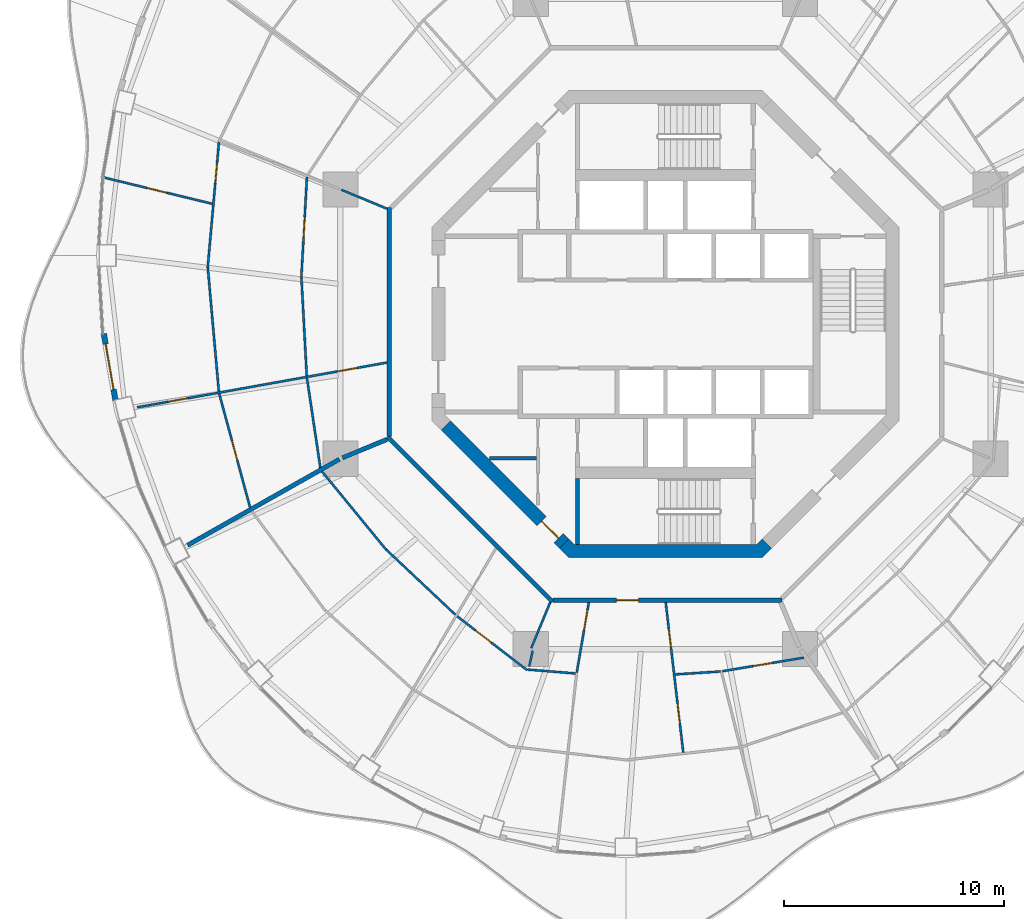
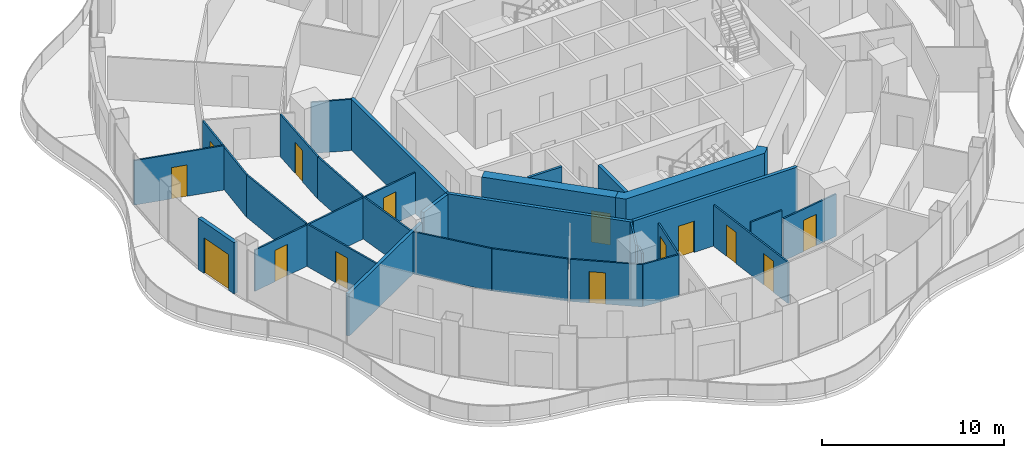
# One storey, part 10 of 18: 29 walls, 14 doors, 14 openings.
"""IFC4 building model written with IfcOpenShell, lengths in metres."""

from ifc_helpers import new_model, si_unit, direction, frame, frame_2d, origin, place, context, subcontext, project, spatial, polyline, rectangle, outline, extrude, material, layer, layer_set, type_object, element, fill, save


model = new_model("IFC4")

# Units and contexts
model_context = context("Model", 3, precision=1e-05, world=origin(), true_north=direction((0.0, 1.0)))
body_context = subcontext(model_context, "Body", "Model", "MODEL_VIEW")
ifc_project = project(units=[si_unit("LENGTHUNIT", "METRE"), si_unit("AREAUNIT", "SQUARE_METRE"), si_unit("VOLUMEUNIT", "CUBIC_METRE"), si_unit("PLANEANGLEUNIT", "RADIAN"), si_unit("MASSUNIT", "GRAM", prefix="KILO")], contexts=[model_context])

# Site, building, storey
site_placement = place(None, origin())
site = spatial("IfcSite", under=ifc_project, at=site_placement, CompositionType="ELEMENT")
building_placement = place(site_placement, origin())
building = spatial("IfcBuilding", under=site, at=building_placement, Name="Nagisa Residences", CompositionType="ELEMENT")
storey_placement = place(building_placement, frame((0.0, 0.0, 245.5)))
storey = spatial("IfcBuildingStorey", under=building, at=storey_placement, Name="L62", CompositionType="ELEMENT", Elevation=245.5)

# Walls
ifc_material_1 = material(Name="Gypsum board on steel studs", Category="steel")
ifc_layer_1 = layer(ifc_material_1, 0.199951171875)
ifc_layer_set_1 = layer_set([ifc_layer_1], Name="Apartment compartment wall EI60 200")
wall_type_1 = type_object("IfcWallType", Name="Apartment compartment wall EI60 200", PredefinedType="PARTITIONING", material=ifc_layer_set_1)
wall_1_placement = place(storey_placement, frame((-12.6572265625, -5.24267578125, 0.0), z_axis=(0.0, 0.0, 1.0), x_axis=(-0.923859888513, -0.38273085373, 0.0)))
element("IfcWall", 1, at=wall_1_placement, inside=storey, type_object=wall_type_1, Name="wall:L62:u02", PredefinedType="PARTITIONING", context=body_context, shape_type="SweptSolid", body=[
    extrude(rectangle(XDim=2.199462890625, YDim=0.199951171875, at=frame_2d((1.099609375, 0.0))), origin(), (0.0, 0.0, 1.0), 3.43994140625),
])
wall_2_placement = place(storey_placement, frame((-14.825439453125, -6.147705078125, 0.0), z_axis=(0.0, 0.0, 1.0), x_axis=(-0.870099576105, -0.492875975944, 0.0)))
element("IfcWall", 2, at=wall_2_placement, inside=storey, type_object=wall_type_1, Name="wall:L62:u03", PredefinedType="PARTITIONING", context=body_context, shape_type="SweptSolid", body=[
    extrude(rectangle(XDim=7.937255859375, YDim=0.199951171875, at=frame_2d((3.96875, 0.0))), origin(), (0.0, 0.0, 1.0), 2.8369140625),
])
ifc_material_2 = material(Name="Gypsum board on steel studs", Category="steel")
ifc_layer_2 = layer(ifc_material_2, 0.199951171875)
ifc_layer_set_2 = layer_set([ifc_layer_2], Name="Apartment entry wall EI60 200")
wall_type_2 = type_object("IfcWallType", Name="Apartment entry wall EI60 200", PredefinedType="PARTITIONING", material=ifc_layer_set_2)
wall_3_placement = place(storey_placement, frame((-12.564697265625, 5.304443359375, 0.0), z_axis=(0.0, 0.0, 1.0), x_axis=(0.0, -1.0, 0.0)))
element("IfcWall", 3, at=wall_3_placement, inside=storey, type_object=wall_type_2, Name="wall:L62:u10", PredefinedType="PARTITIONING", context=body_context, shape_type="SweptSolid", body=[
    extrude(rectangle(XDim=10.408935546875, YDim=0.199951171875, at=frame_2d((5.20458984375, 0.0))), origin(), (0.0, 0.0, 1.0), 3.43994140625),
])
wall_4_placement = place(storey_placement, frame((-12.635498046875, -5.1337890625, 0.0), z_axis=(0.0, 0.0, 1.0), x_axis=(0.707106781187, -0.707106781187, 0.0)))
element("IfcWall", 4, at=wall_4_placement, inside=storey, type_object=wall_type_2, Name="wall:L62:u11", PredefinedType="PARTITIONING", context=body_context, shape_type="SweptSolid", body=[
    extrude(rectangle(XDim=10.609130859375, YDim=0.199951171875, at=frame_2d((5.3046875, 0.0))), origin(), (0.0, 0.0, 1.0), 3.43994140625),
])

# Wall, opening, door
wall_5_placement = place(storey_placement, frame((-5.1044921875, -12.564697265625, 0.0), z_axis=(0.0, 0.0, 1.0), x_axis=(1.0, 0.0, 0.0)))
wall_5 = element("IfcWall", 5, at=wall_5_placement, inside=storey, type_object=wall_type_2, Name="wall:L62:u12", PredefinedType="PARTITIONING", context=body_context, shape_type="SweptSolid", body=[
    extrude(rectangle(XDim=10.408935546875, YDim=0.199951171875, at=frame_2d((5.20458984375, 0.0))), origin(), (0.0, 0.0, 1.0), 3.43994140625),
])
opening_1_placement = place(wall_5_placement, frame((2.86962890625, 0.0, 0.0)))
opening_1 = element("IfcOpeningElement", 6, at=opening_1_placement, cuts=wall_5, Name="Opening L62-U39", PredefinedType="OPENING", context=body_context, shape_type="SweptSolid", body=[
    extrude(rectangle(XDim=1.0, YDim=2.10009765625, at=frame_2d((0.5, 1.050048828125))), frame((0.0, 0.10986328125, 0.0), z_axis=(0.0, -1.0, 0.0), x_axis=(1.0, 0.0, 0.0)), (0.0, 0.0, 1.0), 0.219970703125),
])
ifc_material_3 = material(Name="Timber fire door set", Category="wood")
door_type_1 = type_object("IfcDoorType", Name="Apartment entry door FD30S 1000x2100", OperationType="NOTDEFINED", PredefinedType="DOOR", material=ifc_material_3)
door_1_placement = place(opening_1_placement, frame((1.0, 0.0, 0.0), x_axis=(-1.0, 0.0, 0.0)))
door_1 = element("IfcDoor", 7, at=door_1_placement, inside=storey, type_object=door_type_1, Name="Entry door, Apartment 62C", OperationType="SINGLE_SWING_RIGHT", OverallHeight=2.10009765625, OverallWidth=1.0, PredefinedType="DOOR", context=body_context, shape_type="SweptSolid", body=[
    extrude(rectangle(XDim=1.0, YDim=2.10009765625, at=frame_2d((0.5, 1.050048828125))), frame((0.0, 0.02490234375, 0.0), z_axis=(0.0, -1.0, 0.0), x_axis=(1.0, 0.0, 0.0)), (0.0, 0.0, 1.0), 0.050048828125),
])
fill(opening_1, door_1)

# Wall
ifc_material_4 = material(Name="Gypsum board on steel studs", Category="steel")
ifc_layer_3 = layer(ifc_material_4, 0.10009765625)
ifc_layer_set_3 = layer_set([ifc_layer_3], Name="Apartment partition 100")
wall_type_3 = type_object("IfcWallType", Name="Apartment partition 100", PredefinedType="PARTITIONING", material=ifc_layer_set_3)
wall_6_placement = place(storey_placement, frame((-12.6572265625, 5.24267578125, 0.0), z_axis=(0.0, 0.0, 1.0), x_axis=(-0.923871314276, 0.382703272338, 0.0)))
element("IfcWall", 8, at=wall_6_placement, inside=storey, type_object=wall_type_3, Name="wall:L62:u51", PredefinedType="PARTITIONING", context=body_context, shape_type="SweptSolid", body=[
    extrude(rectangle(XDim=2.249267578125, YDim=0.10009765625, at=frame_2d((1.12451171875, 0.0))), origin(), (0.0, 0.0, 1.0), 3.43994140625),
])

# Wall, opening, door
wall_7_placement = place(storey_placement, frame((-16.30419921875, 6.67724609375, 0.0), z_axis=(0.0, 0.0, 1.0), x_axis=(-0.055596844869, -0.998453299279, 0.0)))
wall_7 = element("IfcWall", 9, at=wall_7_placement, inside=storey, type_object=wall_type_3, Name="wall:L62:u53", PredefinedType="PARTITIONING", context=body_context, shape_type="SweptSolid", body=[
    extrude(rectangle(XDim=4.58447265625, YDim=0.10009765625, at=frame_2d((2.292236328125, 0.0))), origin(), (0.0, 0.0, 1.0), 2.8369140625),
])
opening_2_placement = place(wall_7_placement, frame((1.8173828125, 0.0, 0.0)))
opening_2 = element("IfcOpeningElement", 10, at=opening_2_placement, cuts=wall_7, Name="Opening L62-U35", PredefinedType="OPENING", context=body_context, shape_type="SweptSolid", body=[
    extrude(rectangle(XDim=0.89990234375, YDim=2.10009765625, at=frame_2d((0.449951171875, 1.050048828125))), frame((0.0, 0.06005859375, 0.0), z_axis=(0.0, -1.0, 0.0), x_axis=(1.0, 0.0, 0.0)), (0.0, 0.0, 1.0), 0.1201171875),
])
ifc_material_5 = material(Name="Timber door set", Category="wood")
door_type_2 = type_object("IfcDoorType", Name="Apartment door 900x2100", OperationType="NOTDEFINED", PredefinedType="DOOR", material=ifc_material_5)
door_2_placement = place(opening_2_placement, origin())
door_2 = element("IfcDoor", 11, at=door_2_placement, inside=storey, type_object=door_type_2, Name="Door to laundry, Apartment 62B", OperationType="SINGLE_SWING_LEFT", OverallHeight=2.10009765625, OverallWidth=0.89990234375, PredefinedType="DOOR", context=body_context, shape_type="SweptSolid", body=[
    extrude(rectangle(XDim=0.89990234375, YDim=2.10009765625, at=frame_2d((0.449951171875, 1.050048828125))), frame((0.0, 0.02490234375, 0.0), z_axis=(0.0, -1.0, 0.0), x_axis=(1.0, 0.0, 0.0)), (0.0, 0.0, 1.0), 0.050048828125),
])
fill(opening_2, door_2)

wall_8_placement = place(storey_placement, frame((-20.30517578125, 8.26806640625, 0.0), z_axis=(0.0, 0.0, 1.0), x_axis=(-0.089272015533, -0.996007282726, 0.0)))
wall_8 = element("IfcWall", 12, at=wall_8_placement, inside=storey, type_object=wall_type_3, Name="wall:L62:u54", PredefinedType="PARTITIONING", context=body_context, shape_type="SweptSolid", body=[
    extrude(rectangle(XDim=5.74853515625, YDim=0.10009765625, at=frame_2d((2.874267578125, 0.0))), origin(), (0.0, 0.0, 1.0), 2.8369140625),
])
opening_3_placement = place(wall_8_placement, frame((0.962158203125, 0.0, 0.0)))
opening_3 = element("IfcOpeningElement", 13, at=opening_3_placement, cuts=wall_8, Name="Opening L62-U28", PredefinedType="OPENING", context=body_context, shape_type="SweptSolid", body=[
    extrude(rectangle(XDim=0.89990234375, YDim=2.10009765625, at=frame_2d((0.449951171875, 1.050048828125))), frame((0.0, 0.06005859375, 0.0), z_axis=(0.0, -1.0, 0.0), x_axis=(1.0, 0.0, 0.0)), (0.0, 0.0, 1.0), 0.1201171875),
])
door_3_placement = place(opening_3_placement, frame((0.89990234375, 0.0, 0.0), x_axis=(-1.0, 0.0, 0.0)))
door_3 = element("IfcDoor", 14, at=door_3_placement, inside=storey, type_object=door_type_2, Name="Door to living room, Apartment 62B", OperationType="SINGLE_SWING_LEFT", OverallHeight=2.10009765625, OverallWidth=0.89990234375, PredefinedType="DOOR", context=body_context, shape_type="SweptSolid", body=[
    extrude(rectangle(XDim=0.89990234375, YDim=2.10009765625, at=frame_2d((0.449951171875, 1.050048828125))), frame((0.0, 0.02490234375, 0.0), z_axis=(0.0, -1.0, 0.0), x_axis=(1.0, 0.0, 0.0)), (0.0, 0.0, 1.0), 0.050048828125),
])
fill(opening_3, door_3)

wall_9_placement = place(storey_placement, frame((-20.60595703125, 5.466796875, 0.0), z_axis=(0.0, 0.0, 1.0), x_axis=(-0.971860928388, 0.235555377507, 0.0)))
wall_9 = element("IfcWall", 15, at=wall_9_placement, inside=storey, type_object=wall_type_3, Name="wall:L62:u55", PredefinedType="PARTITIONING", context=body_context, shape_type="SweptSolid", body=[
    extrude(rectangle(XDim=5.16455078125, YDim=0.10009765625, at=frame_2d((2.582275390625, 0.0))), origin(), (0.0, 0.0, 1.0), 2.98291015625),
])
opening_4_placement = place(wall_9_placement, frame((2.13232421875, 0.0, 0.0)))
opening_4 = element("IfcOpeningElement", 16, at=opening_4_placement, cuts=wall_9, Name="Opening L62-U29", PredefinedType="OPENING", context=body_context, shape_type="SweptSolid", body=[
    extrude(rectangle(XDim=0.89990234375, YDim=2.10009765625, at=frame_2d((0.449951171875, 1.050048828125))), frame((0.0, 0.06005859375, 0.0), z_axis=(0.0, -1.0, 0.0), x_axis=(1.0, 0.0, 0.0)), (0.0, 0.0, 1.0), 0.1201171875),
])
door_4_placement = place(opening_4_placement, origin())
door_4 = element("IfcDoor", 17, at=door_4_placement, inside=storey, type_object=door_type_2, Name="Door to family room, Apartment 62B", OperationType="SINGLE_SWING_LEFT", OverallHeight=2.10009765625, OverallWidth=0.89990234375, PredefinedType="DOOR", context=body_context, shape_type="SweptSolid", body=[
    extrude(rectangle(XDim=0.89990234375, YDim=2.10009765625, at=frame_2d((0.449951171875, 1.050048828125))), frame((0.0, 0.02490234375, 0.0), z_axis=(0.0, -1.0, 0.0), x_axis=(1.0, 0.0, 0.0)), (0.0, 0.0, 1.0), 0.050048828125),
])
fill(opening_4, door_4)

# Walls
wall_10_placement = place(storey_placement, frame((-16.5537109375, 2.099853515625, 0.0), z_axis=(0.0, 0.0, 1.0), x_axis=(0.053945770239, -0.998543866775, 0.0)))
element("IfcWall", 18, at=wall_10_placement, inside=storey, type_object=wall_type_3, Name="wall:L62:u56", PredefinedType="PARTITIONING", context=body_context, shape_type="SweptSolid", body=[
    extrude(rectangle(XDim=4.46240234375, YDim=0.10009765625, at=frame_2d((2.231201171875, 0.0))), origin(), (0.0, 0.0, 1.0), 2.8369140625),
])
wall_11_placement = place(storey_placement, frame((-20.8095703125, 2.54248046875, 0.0), z_axis=(0.0, 0.0, 1.0), x_axis=(0.088621920298, -0.996065336834, 0.0)))
element("IfcWall", 19, at=wall_11_placement, inside=storey, type_object=wall_type_3, Name="wall:L62:u57", PredefinedType="PARTITIONING", context=body_context, shape_type="SweptSolid", body=[
    extrude(rectangle(XDim=5.636474609375, YDim=0.10009765625, at=frame_2d((2.818359375, 0.0))), origin(), (0.0, 0.0, 1.0), 2.8369140625),
])

# Wall, openings, doors
wall_12_placement = place(storey_placement, frame((-12.6630859375, -1.75244140625, 0.0), z_axis=(0.0, 0.0, 1.0), x_axis=(-0.98433012022, -0.176335516635, 0.0)))
wall_12 = element("IfcWall", 20, at=wall_12_placement, inside=storey, type_object=wall_type_3, Name="wall:L62:u58", PredefinedType="PARTITIONING", context=body_context, shape_type="SweptSolid", body=[
    extrude(rectangle(XDim=11.537353515625, YDim=0.10009765625, at=frame_2d((5.7685546875, 0.0))), origin(), (0.0, 0.0, 1.0), 2.761962890625),
])
opening_5_placement = place(wall_12_placement, frame((9.20068359375, 0.0, 0.0)))
opening_5 = element("IfcOpeningElement", 21, at=opening_5_placement, cuts=wall_12, Name="Opening L62-U30", PredefinedType="OPENING", context=body_context, shape_type="SweptSolid", body=[
    extrude(rectangle(XDim=0.89990234375, YDim=2.10009765625, at=frame_2d((0.449951171875, 1.050048828125))), frame((0.0, 0.06005859375, 0.0), z_axis=(0.0, -1.0, 0.0), x_axis=(1.0, 0.0, 0.0)), (0.0, 0.0, 1.0), 0.1201171875),
])
opening_6_placement = place(wall_12_placement, frame((1.402587890625, 0.0, 0.0)))
opening_6 = element("IfcOpeningElement", 22, at=opening_6_placement, cuts=wall_12, Name="Opening L62-U36", PredefinedType="OPENING", context=body_context, shape_type="SweptSolid", body=[
    extrude(rectangle(XDim=0.89990234375, YDim=2.10009765625, at=frame_2d((0.449951171875, 1.050048828125))), frame((0.0, 0.06005859375, 0.0), z_axis=(0.0, -1.0, 0.0), x_axis=(1.0, 0.0, 0.0)), (0.0, 0.0, 1.0), 0.1201171875),
])
door_5_placement = place(opening_5_placement, origin())
door_5 = element("IfcDoor", 23, at=door_5_placement, inside=storey, type_object=door_type_2, Name="Door to bedroom, Apartment 62B", OperationType="SINGLE_SWING_RIGHT", OverallHeight=2.10009765625, OverallWidth=0.89990234375, PredefinedType="DOOR", context=body_context, shape_type="SweptSolid", body=[
    extrude(rectangle(XDim=0.89990234375, YDim=2.10009765625, at=frame_2d((0.449951171875, 1.050048828125))), frame((0.0, 0.02490234375, 0.0), z_axis=(0.0, -1.0, 0.0), x_axis=(1.0, 0.0, 0.0)), (0.0, 0.0, 1.0), 0.050048828125),
])
fill(opening_5, door_5)
door_6_placement = place(opening_6_placement, origin())
door_6 = element("IfcDoor", 24, at=door_6_placement, inside=storey, type_object=door_type_2, Name="Door to store, Apartment 62B", OperationType="SINGLE_SWING_RIGHT", OverallHeight=2.10009765625, OverallWidth=0.89990234375, PredefinedType="DOOR", context=body_context, shape_type="SweptSolid", body=[
    extrude(rectangle(XDim=0.89990234375, YDim=2.10009765625, at=frame_2d((0.449951171875, 1.050048828125))), frame((0.0, 0.02490234375, 0.0), z_axis=(0.0, -1.0, 0.0), x_axis=(1.0, 0.0, 0.0)), (0.0, 0.0, 1.0), 0.050048828125),
])
fill(opening_6, door_6)

# Wall
wall_13_placement = place(storey_placement, frame((-16.302978515625, -2.455322265625, 0.0), z_axis=(0.0, 0.0, 1.0), x_axis=(0.147711951447, -0.9890304239, 0.0)))
element("IfcWall", 25, at=wall_13_placement, inside=storey, type_object=wall_type_3, Name="wall:L62:u59", PredefinedType="PARTITIONING", context=body_context, shape_type="SweptSolid", body=[
    extrude(rectangle(XDim=4.1220703125, YDim=0.10009765625, at=frame_2d((2.06103515625, 0.0))), origin(), (0.0, 0.0, 1.0), 2.8369140625),
])

# Wall, opening, door
wall_14_placement = place(storey_placement, frame((-20.29248046875, -3.169677734375, 0.0), z_axis=(0.0, 0.0, 1.0), x_axis=(0.26187906236, -0.965100697698, 0.0)))
wall_14 = element("IfcWall", 26, at=wall_14_placement, inside=storey, type_object=wall_type_3, Name="wall:L62:u60", PredefinedType="PARTITIONING", context=body_context, shape_type="SweptSolid", body=[
    extrude(rectangle(XDim=5.35595703125, YDim=0.10009765625, at=frame_2d((2.677978515625, 0.0))), origin(), (0.0, 0.0, 1.0), 2.8369140625),
])
opening_7_placement = place(wall_14_placement, frame((2.227783203125, 0.0, 0.0)))
opening_7 = element("IfcOpeningElement", 27, at=opening_7_placement, cuts=wall_14, Name="Opening L62-U38", PredefinedType="OPENING", context=body_context, shape_type="SweptSolid", body=[
    extrude(rectangle(XDim=0.89990234375, YDim=2.10009765625, at=frame_2d((0.449951171875, 1.050048828125))), frame((0.0, 0.06005859375, 0.0), z_axis=(0.0, -1.0, 0.0), x_axis=(1.0, 0.0, 0.0)), (0.0, 0.0, 1.0), 0.1201171875),
])
door_7_placement = place(opening_7_placement, origin())
door_7 = element("IfcDoor", 28, at=door_7_placement, inside=storey, type_object=door_type_2, Name="Door to en-suite bathroom, Apartment 62B", OperationType="SINGLE_SWING_RIGHT", OverallHeight=2.10009765625, OverallWidth=0.89990234375, PredefinedType="DOOR", context=body_context, shape_type="SweptSolid", body=[
    extrude(rectangle(XDim=0.89990234375, YDim=2.10009765625, at=frame_2d((0.449951171875, 1.050048828125))), frame((0.0, 0.02490234375, 0.0), z_axis=(0.0, -1.0, 0.0), x_axis=(1.0, 0.0, 0.0)), (0.0, 0.0, 1.0), 0.050048828125),
])
fill(opening_7, door_7)

# Walls
wall_15_placement = place(storey_placement, frame((-15.615966796875, -6.70849609375, 0.0), z_axis=(0.0, 0.0, 1.0), x_axis=(0.634076422357, -0.773270386483, 0.0)))
element("IfcWall", 29, at=wall_15_placement, inside=storey, type_object=wall_type_3, Name="wall:L62:u61", PredefinedType="PARTITIONING", context=body_context, shape_type="SweptSolid", body=[
    extrude(rectangle(XDim=4.611083984375, YDim=0.10009765625, at=frame_2d((2.3056640625, 0.0))), origin(), (0.0, 0.0, 1.0), 2.8369140625),
])
wall_16_placement = place(storey_placement, frame((-12.6875, -10.269775390625, 0.0), z_axis=(0.0, 0.0, 1.0), x_axis=(0.728268142903, -0.685292282192, 0.0)))
element("IfcWall", 30, at=wall_16_placement, inside=storey, type_object=wall_type_3, Name="wall:L62:u63", PredefinedType="PARTITIONING", context=body_context, shape_type="SweptSolid", body=[
    extrude(rectangle(XDim=4.311767578125, YDim=0.10009765625, at=frame_2d((2.15576171875, 0.0))), origin(), (0.0, 0.0, 1.0), 2.8369140625),
])

# Wall, opening, door
wall_17_placement = place(storey_placement, frame((-9.471435546875, -13.289306640625, 0.0), z_axis=(0.0, 0.0, 1.0), x_axis=(0.792207964046, -0.610251211963, 0.0)))
wall_17 = element("IfcWall", 31, at=wall_17_placement, inside=storey, type_object=wall_type_3, Name="wall:L62:u66", PredefinedType="PARTITIONING", context=body_context, shape_type="SweptSolid", body=[
    extrude(rectangle(XDim=4.015869140625, YDim=0.10009765625, at=frame_2d((2.0078125, 0.0))), origin(), (0.0, 0.0, 1.0), 2.8369140625),
])
opening_8_placement = place(wall_17_placement, frame((1.059814453125, 0.0, 0.0)))
opening_8 = element("IfcOpeningElement", 32, at=opening_8_placement, cuts=wall_17, Name="Opening L62-U48", PredefinedType="OPENING", context=body_context, shape_type="SweptSolid", body=[
    extrude(rectangle(XDim=0.89990234375, YDim=2.10009765625, at=frame_2d((0.449951171875, 1.050048828125))), frame((0.0, 0.06005859375, 0.0), z_axis=(0.0, -1.0, 0.0), x_axis=(1.0, 0.0, 0.0)), (0.0, 0.0, 1.0), 0.1201171875),
])
door_8_placement = place(opening_8_placement, origin())
door_8 = element("IfcDoor", 33, at=door_8_placement, inside=storey, type_object=door_type_2, Name="Door to laundry, Apartment 62C", OperationType="SINGLE_SWING_RIGHT", OverallHeight=2.10009765625, OverallWidth=0.89990234375, PredefinedType="DOOR", context=body_context, shape_type="SweptSolid", body=[
    extrude(rectangle(XDim=0.89990234375, YDim=2.10009765625, at=frame_2d((0.449951171875, 1.050048828125))), frame((0.0, 0.02490234375, 0.0), z_axis=(0.0, -1.0, 0.0), x_axis=(1.0, 0.0, 0.0)), (0.0, 0.0, 1.0), 0.050048828125),
])
fill(opening_8, door_8)

# Walls
wall_18_placement = place(storey_placement, frame((-5.24267578125, -12.6572265625, 0.0), z_axis=(0.0, 0.0, 1.0), x_axis=(-0.382719158442, -0.923864733477, 0.0)))
element("IfcWall", 34, at=wall_18_placement, inside=storey, type_object=wall_type_3, Name="wall:L62:u68", PredefinedType="PARTITIONING", context=body_context, shape_type="SweptSolid", body=[
    extrude(rectangle(XDim=2.25, YDim=0.10009765625, at=frame_2d((1.125, 0.0))), origin(), (0.0, 0.0, 1.0), 3.43994140625),
])
wall_19_placement = place(storey_placement, frame((-6.27978515625, -15.71337890625, 0.0), z_axis=(0.0, 0.0, 1.0), x_axis=(0.996788344289, -0.080081188115, 0.0)))
element("IfcWall", 35, at=wall_19_placement, inside=storey, type_object=wall_type_3, Name="wall:L62:u69", PredefinedType="PARTITIONING", context=body_context, shape_type="SweptSolid", body=[
    extrude(rectangle(XDim=2.195068359375, YDim=0.10009765625, at=frame_2d((1.09765625, 0.0))), origin(), (0.0, 0.0, 1.0), 2.8369140625),
])

# Wall, opening, door
wall_20_placement = place(storey_placement, frame((-3.486572265625, -12.663330078125, 0.0), z_axis=(0.0, 0.0, 1.0), x_axis=(-0.169450915465, -0.985538627984, 0.0)))
wall_20 = element("IfcWall", 36, at=wall_20_placement, inside=storey, type_object=wall_type_3, Name="wall:L62:u71", PredefinedType="PARTITIONING", context=body_context, shape_type="SweptSolid", body=[
    extrude(rectangle(XDim=3.227294921875, YDim=0.10009765625, at=frame_2d((1.61376953125, 0.0))), origin(), (0.0, 0.0, 1.0), 2.761962890625),
])
opening_9_placement = place(wall_20_placement, frame((0.35009765625, 0.0, 0.0)))
opening_9 = element("IfcOpeningElement", 37, at=opening_9_placement, cuts=wall_20, Name="Opening L62-U40", PredefinedType="OPENING", context=body_context, shape_type="SweptSolid", body=[
    extrude(rectangle(XDim=0.89990234375, YDim=2.10009765625, at=frame_2d((0.449951171875, 1.050048828125))), frame((0.0, 0.06005859375, 0.0), z_axis=(0.0, -1.0, 0.0), x_axis=(1.0, 0.0, 0.0)), (0.0, 0.0, 1.0), 0.1201171875),
])
door_9_placement = place(opening_9_placement, frame((0.89990234375, 0.0, 0.0), x_axis=(-1.0, 0.0, 0.0)))
door_9 = element("IfcDoor", 38, at=door_9_placement, inside=storey, type_object=door_type_2, Name="Door to family bathroom, Apartment 62C", OperationType="SINGLE_SWING_LEFT", OverallHeight=2.10009765625, OverallWidth=0.89990234375, PredefinedType="DOOR", context=body_context, shape_type="SweptSolid", body=[
    extrude(rectangle(XDim=0.89990234375, YDim=2.10009765625, at=frame_2d((0.449951171875, 1.050048828125))), frame((0.0, 0.02490234375, 0.0), z_axis=(0.0, -1.0, 0.0), x_axis=(1.0, 0.0, 0.0)), (0.0, 0.0, 1.0), 0.050048828125),
])
fill(opening_9, door_9)

# Wall, openings, doors
wall_21_placement = place(storey_placement, frame((0.01171875, -12.6640625, 0.0), z_axis=(0.0, 0.0, 1.0), x_axis=(0.116154290925, -0.993231181901, 0.0)))
wall_21 = element("IfcWall", 39, at=wall_21_placement, inside=storey, type_object=wall_type_3, Name="wall:L62:u74", PredefinedType="PARTITIONING", context=body_context, shape_type="SweptSolid", body=[
    extrude(rectangle(XDim=6.86669921875, YDim=0.10009765625, at=frame_2d((3.433349609375, 0.0))), origin(), (0.0, 0.0, 1.0), 2.761962890625),
])
opening_10_placement = place(wall_21_placement, frame((1.197509765625, 0.0, 0.0)))
opening_10 = element("IfcOpeningElement", 40, at=opening_10_placement, cuts=wall_21, Name="Opening L62-U41", PredefinedType="OPENING", context=body_context, shape_type="SweptSolid", body=[
    extrude(rectangle(XDim=0.89990234375, YDim=2.10009765625, at=frame_2d((0.449951171875, 1.050048828125))), frame((0.0, 0.06005859375, 0.0), z_axis=(0.0, -1.0, 0.0), x_axis=(1.0, 0.0, 0.0)), (0.0, 0.0, 1.0), 0.1201171875),
])
opening_11_placement = place(wall_21_placement, frame((4.631103515625, 0.0, 0.0)))
opening_11 = element("IfcOpeningElement", 41, at=opening_11_placement, cuts=wall_21, Name="Opening L62-U43", PredefinedType="OPENING", context=body_context, shape_type="SweptSolid", body=[
    extrude(rectangle(XDim=0.89990234375, YDim=2.10009765625, at=frame_2d((0.449951171875, 1.050048828125))), frame((0.0, 0.06005859375, 0.0), z_axis=(0.0, -1.0, 0.0), x_axis=(1.0, 0.0, 0.0)), (0.0, 0.0, 1.0), 0.1201171875),
])
door_10_placement = place(opening_10_placement, origin())
door_10 = element("IfcDoor", 42, at=door_10_placement, inside=storey, type_object=door_type_2, Name="Door to store, Apartment 62C", OperationType="SINGLE_SWING_LEFT", OverallHeight=2.10009765625, OverallWidth=0.89990234375, PredefinedType="DOOR", context=body_context, shape_type="SweptSolid", body=[
    extrude(rectangle(XDim=0.89990234375, YDim=2.10009765625, at=frame_2d((0.449951171875, 1.050048828125))), frame((0.0, 0.02490234375, 0.0), z_axis=(0.0, -1.0, 0.0), x_axis=(1.0, 0.0, 0.0)), (0.0, 0.0, 1.0), 0.050048828125),
])
fill(opening_10, door_10)
door_11_placement = place(opening_11_placement, origin())
door_11 = element("IfcDoor", 43, at=door_11_placement, inside=storey, type_object=door_type_2, Name="Door to family bathroom, Apartment 62C", OperationType="SINGLE_SWING_LEFT", OverallHeight=2.10009765625, OverallWidth=0.89990234375, PredefinedType="DOOR", context=body_context, shape_type="SweptSolid", body=[
    extrude(rectangle(XDim=0.89990234375, YDim=2.10009765625, at=frame_2d((0.449951171875, 1.050048828125))), frame((0.0, 0.02490234375, 0.0), z_axis=(0.0, -1.0, 0.0), x_axis=(1.0, 0.0, 0.0)), (0.0, 0.0, 1.0), 0.050048828125),
])
fill(opening_11, door_11)

# Wall
wall_22_placement = place(storey_placement, frame((0.4443359375, -15.933837890625, 0.0), z_axis=(0.0, 0.0, 1.0), x_axis=(0.997882958479, 0.065035384045, 0.0)))
element("IfcWall", 44, at=wall_22_placement, inside=storey, type_object=wall_type_3, Name="wall:L62:u75", PredefinedType="PARTITIONING", context=body_context, shape_type="SweptSolid", body=[
    extrude(rectangle(XDim=2.053466796875, YDim=0.10009765625, at=frame_2d((1.02685546875, 0.0))), origin(), (0.0, 0.0, 1.0), 3.43994140625),
])

# Wall, opening, door
wall_23_placement = place(storey_placement, frame((2.592529296875, -15.788818359375, 0.0), z_axis=(0.0, 0.0, 1.0), x_axis=(0.986385117656, 0.164451815639, 0.0)))
wall_23 = element("IfcWall", 45, at=wall_23_placement, inside=storey, type_object=wall_type_3, Name="wall:L62:u77", PredefinedType="PARTITIONING", context=body_context, shape_type="SweptSolid", body=[
    extrude(rectangle(XDim=3.7470703125, YDim=0.10009765625, at=frame_2d((1.87353515625, 0.0))), origin(), (0.0, 0.0, 1.0), 2.8369140625),
])
opening_12_placement = place(wall_23_placement, frame((1.423583984375, 0.0, 0.0)))
opening_12 = element("IfcOpeningElement", 46, at=opening_12_placement, cuts=wall_23, Name="Opening L62-U44", PredefinedType="OPENING", context=body_context, shape_type="SweptSolid", body=[
    extrude(rectangle(XDim=0.89990234375, YDim=2.10009765625, at=frame_2d((0.449951171875, 1.050048828125))), frame((0.0, 0.06005859375, 0.0), z_axis=(0.0, -1.0, 0.0), x_axis=(1.0, 0.0, 0.0)), (0.0, 0.0, 1.0), 0.1201171875),
])
door_12_placement = place(opening_12_placement, frame((0.89990234375, 0.0, 0.0), x_axis=(-1.0, 0.0, 0.0)))
door_12 = element("IfcDoor", 47, at=door_12_placement, inside=storey, type_object=door_type_2, Name="Door to kitchen, Apartment 62C", OperationType="SINGLE_SWING_LEFT", OverallHeight=2.10009765625, OverallWidth=0.89990234375, PredefinedType="DOOR", context=body_context, shape_type="SweptSolid", body=[
    extrude(rectangle(XDim=0.89990234375, YDim=2.10009765625, at=frame_2d((0.449951171875, 1.050048828125))), frame((0.0, 0.02490234375, 0.0), z_axis=(0.0, -1.0, 0.0), x_axis=(1.0, 0.0, 0.0)), (0.0, 0.0, 1.0), 0.050048828125),
])
fill(opening_12, door_12)

# Wall
wall_24_placement = place(storey_placement, frame((-6.196044921875, -15.569580078125, 0.0), z_axis=(0.0, 0.0, 1.0), x_axis=(0.217669318008, 0.976022575557, 0.0)))
element("IfcWall", 48, at=wall_24_placement, inside=storey, type_object=wall_type_3, Name="wall:L62:u90", PredefinedType="PARTITIONING", context=body_context, shape_type="SweptSolid", body=[
    extrude(rectangle(XDim=0.734619140625, YDim=0.10009765625, at=frame_2d((0.3671875, 0.0))), origin(), (0.0, 0.0, 1.0), 3.43994140625),
])

# Wall, opening, door
ifc_material_6 = material(Name="Precast concrete C40/50", Category="concrete")
ifc_layer_4 = layer(ifc_material_6, 0.25)
ifc_layer_set_4 = layer_set([ifc_layer_4], Name="BALCONY DOOR WALL 250")
wall_type_4 = type_object("IfcWallType", Name="BALCONY DOOR WALL 250", PredefinedType="SOLIDWALL", material=ifc_layer_set_4)
wall_25_placement = place(storey_placement, frame((-25.0126953125, -3.457275390625, 0.0), z_axis=(0.0, 0.0, 1.0), x_axis=(-0.172241318156, 0.985054784426, 0.0)))
wall_25 = element("IfcWall", 49, at=wall_25_placement, inside=storey, type_object=wall_type_4, Name="wall:L62:bay25", PredefinedType="SOLIDWALL", context=body_context, shape_type="SweptSolid", body=[
    extrude(rectangle(XDim=3.0673828125, YDim=0.25, at=frame_2d((1.53369140625, 0.0))), origin(), (0.0, 0.0, 1.0), 3.43994140625),
])
opening_13_placement = place(wall_25_placement, frame((0.483642578125, 0.0, 0.0)))
opening_13 = element("IfcOpeningElement", 50, at=opening_13_placement, cuts=wall_25, Name="Opening BD-L62-09", PredefinedType="OPENING", context=body_context, shape_type="SweptSolid", body=[
    extrude(rectangle(XDim=2.10009765625, YDim=2.39990234375, at=frame_2d((1.050048828125, 1.199951171875))), frame((0.0, 0.135009765625, 0.0), z_axis=(0.0, -1.0, 0.0), x_axis=(1.0, 0.0, 0.0)), (0.0, 0.0, 1.0), 0.27001953125),
])
ifc_material_7 = material(Name="Aluminium and clear glass", Category="aluminium")
door_type_3 = type_object("IfcDoorType", Name="BALCONY SLIDING DOOR 2100x2400", OperationType="SLIDING_TO_LEFT", PredefinedType="DOOR", material=ifc_material_7)
door_13_placement = place(opening_13_placement, origin())
door_13 = element("IfcDoor", 51, at=door_13_placement, inside=storey, type_object=door_type_3, Name="door:L62:bay25", OperationType="SLIDING_TO_LEFT", OverallHeight=2.39990234375, OverallWidth=2.10009765625, PredefinedType="DOOR", context=body_context, shape_type="SweptSolid", body=[
    extrude(rectangle(XDim=2.10009765625, YDim=2.39990234375, at=frame_2d((1.050048828125, 1.199951171875))), frame((0.0, 0.02490234375, 0.0), z_axis=(0.0, -1.0, 0.0), x_axis=(1.0, 0.0, 0.0)), (0.0, 0.0, 1.0), 0.050048828125),
])
fill(opening_13, door_13)

# Wall
ifc_material_8 = material(Name="Gypsum board on steel studs", Category="steel")
ifc_layer_5 = layer(ifc_material_8, 0.14990234375)
ifc_layer_set_5 = layer_set([ifc_layer_5], Name="Core partition 150")
wall_type_5 = type_object("IfcWallType", Name="Core partition 150", PredefinedType="PARTITIONING", material=ifc_layer_set_5)
wall_26_placement = place(storey_placement, frame((-8.0009765625, -6.10009765625, 0.0), z_axis=(0.0, 0.0, 1.0), x_axis=(1.0, 0.0, 0.0)))
element("IfcWall", 52, at=wall_26_placement, inside=storey, type_object=wall_type_5, Name="wall:L62:SWq", PredefinedType="PARTITIONING", context=body_context, shape_type="SweptSolid", body=[
    extrude(rectangle(XDim=2.1259765625, YDim=0.14990234375, at=frame_2d((1.06298828125, 0.0))), origin(), (0.0, 0.0, 1.0), 3.43994140625),
])

# Wall, opening, door
ifc_material_9 = material(Name="Concrete C60", Category="concrete")
ifc_layer_6 = layer(ifc_material_9, 0.60009765625)
ifc_layer_set_6 = layer_set([ifc_layer_6], Name="Core shear wall 600")
wall_type_6 = type_object("IfcWallType", Name="Core shear wall 600", PredefinedType="SHEAR", material=ifc_layer_set_6)
wall_27_placement = place(storey_placement, frame((-9.98828125, -4.613037109375, 0.0), z_axis=(0.0, 0.0, 1.0), x_axis=(0.707106781187, -0.707106781187, 0.0)))
wall_27 = element("IfcWall", 53, at=wall_27_placement, inside=storey, type_object=wall_type_6, Name="wall:L62:core:flat5", PredefinedType="SHEAR", context=body_context, shape_type="SweptSolid", body=[
    extrude(rectangle(XDim=7.601806640625, YDim=0.60009765625, at=frame_2d((3.80078125, 0.0))), origin(), (0.0, 0.0, 1.0), 3.43994140625),
])
opening_14_placement = place(wall_27_placement, frame((6.15087890625, 0.0, 0.0)))
opening_14 = element("IfcOpeningElement", 54, at=opening_14_placement, cuts=wall_27, Name="Opening L62-C24", PredefinedType="OPENING", context=body_context, shape_type="SweptSolid", body=[
    extrude(rectangle(XDim=1.10009765625, YDim=2.10009765625, at=frame_2d((0.550048828125, 1.050048828125))), frame((0.0, 0.31005859375, 0.0), z_axis=(0.0, -1.0, 0.0), x_axis=(1.0, 0.0, 0.0)), (0.0, 0.0, 1.0), 0.6201171875),
])
ifc_material_10 = material(Name="Steel fire door", Category="steel")
door_type_4 = type_object("IfcDoorType", Name="Fire door EI60 1100x2100 single swing", OperationType="NOTDEFINED", PredefinedType="DOOR", material=ifc_material_10)
door_14_placement = place(opening_14_placement, origin())
door_14 = element("IfcDoor", 55, at=door_14_placement, inside=storey, type_object=door_type_4, Name="Housekeeping lobby door L62", OperationType="SINGLE_SWING_RIGHT", OverallHeight=2.10009765625, OverallWidth=1.10009765625, PredefinedType="DOOR", context=body_context, shape_type="SweptSolid", body=[
    extrude(rectangle(XDim=1.10009765625, YDim=2.10009765625, at=frame_2d((0.550048828125, 1.050048828125))), frame((0.0, 0.02490234375, 0.0), z_axis=(0.0, -1.0, 0.0), x_axis=(1.0, 0.0, 0.0)), (0.0, 0.0, 1.0), 0.050048828125),
])
fill(opening_14, door_14)

# Walls
wall_28_placement = place(storey_placement, origin())
element("IfcWall", 56, at=wall_28_placement, inside=storey, type_object=wall_type_6, Name="wall:L62:core:flat6", PredefinedType="SHEAR", context=body_context, shape_type="SweptSolid", body=[
    extrude(outline(polyline([(-4.15234375, -10.024658203125), (4.15234375, -10.024658203125), (4.40087890625, -9.776123046875), (4.8251953125, -10.200439453125), (4.40087890625, -10.62451171875), (-4.40087890625, -10.62451171875), (-4.8251953125, -10.200439453125), (-4.40087890625, -9.776123046875), (-4.15234375, -10.024658203125)])), origin(), (0.0, 0.0, 1.0), 3.43994140625),
])
ifc_material_11 = material(Name="Concrete C60", Category="concrete")
ifc_layer_7 = layer(ifc_material_11, 0.199951171875)
ifc_layer_set_7 = layer_set([ifc_layer_7], Name="Stair enclosure wall 200")
wall_type_7 = type_object("IfcWallType", Name="Stair enclosure wall 200", PredefinedType="SOLIDWALL", material=ifc_layer_set_7)
wall_29_placement = place(storey_placement, origin())
element("IfcWall", 57, at=wall_29_placement, inside=storey, type_object=wall_type_7, Name="wall:L62:SS_w", PredefinedType="SOLIDWALL", context=body_context, shape_type="SweptSolid", body=[
    extrude(outline(polyline([(-3.89990234375, -10.024658203125), (-4.10009765625, -10.024658203125), (-4.10009765625, -7.024658203125), (-3.89990234375, -7.024658203125), (-3.89990234375, -10.024658203125)])), origin(), (0.0, 0.0, 1.0), 3.43994140625),
])

save(model, "model.ifc")
